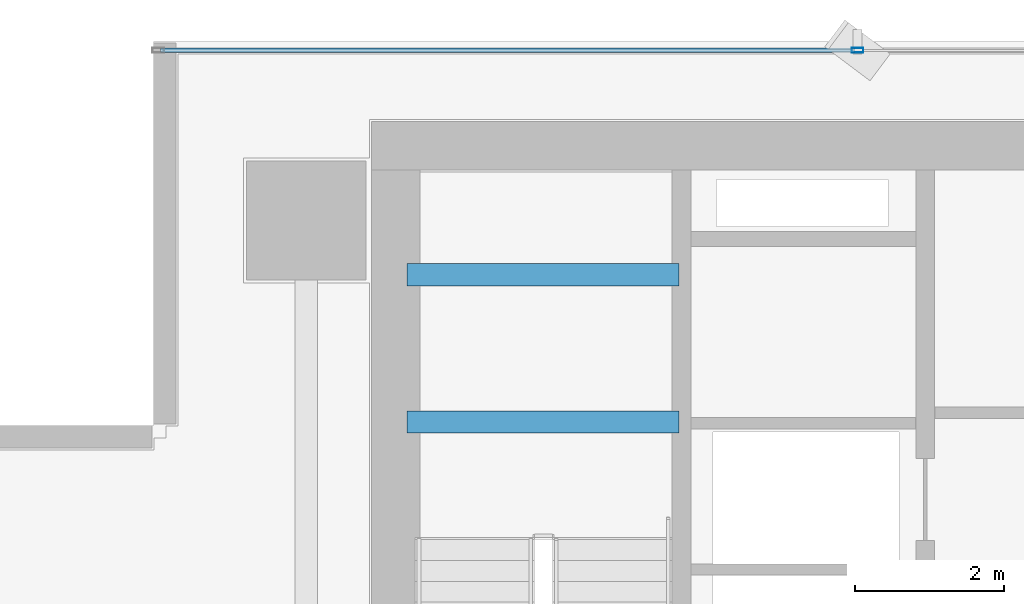
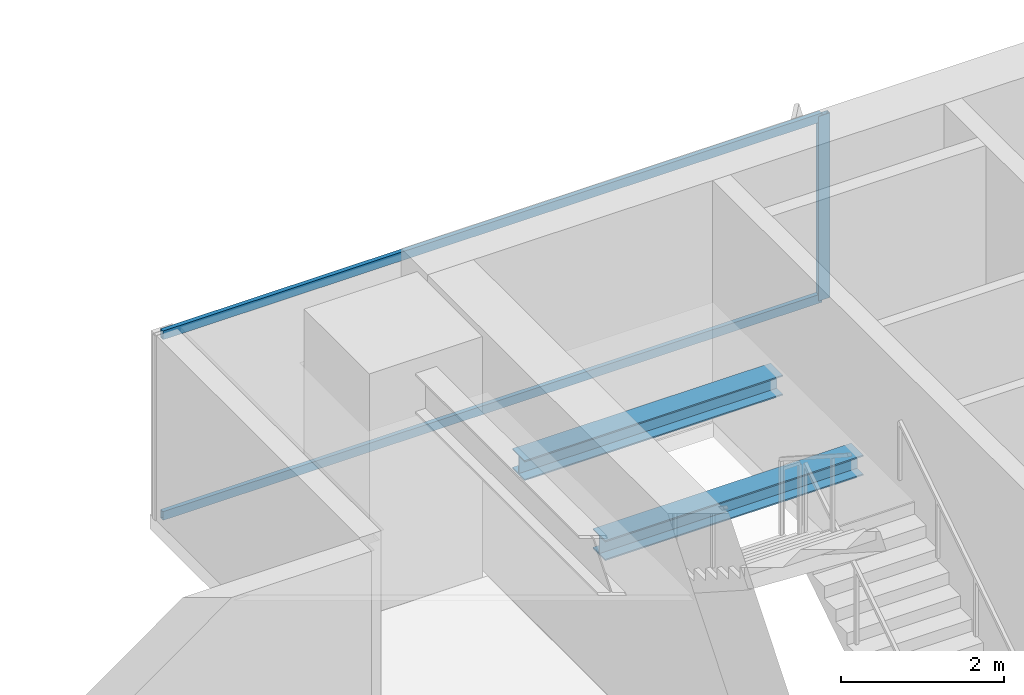
# One storey, part 15 of 28: 3 members, 2 beams, 1 element without a shape of its own.
"""IFC4 building model written with IfcOpenShell, lengths in metres."""

from ifc_helpers import new_model, si_unit, direction, frame, origin, origin_2d, place, context, subcontext, project, spatial, hollow_rectangle, i_section, extrude, source, transform, mapped, material, layer, layer_set, material_profile, profile_set, type_object, element, aggregate, save


model = new_model("IFC4")

# Units and contexts
model_context = context("Model", 3, precision=1e-05, world=origin(), true_north=direction((0.0, 1.0)))
body_context = subcontext(model_context, "Body", "Model", "MODEL_VIEW")
ifc_project = project(units=[si_unit("LENGTHUNIT", "METRE"), si_unit("AREAUNIT", "SQUARE_METRE"), si_unit("VOLUMEUNIT", "CUBIC_METRE"), si_unit("PLANEANGLEUNIT", "RADIAN"), si_unit("MASSUNIT", "GRAM", prefix="KILO")], contexts=[model_context])

# Site, building, storey
site_placement = place(None, origin())
site = spatial("IfcSite", under=ifc_project, at=site_placement, CompositionType="ELEMENT")
building_placement = place(site_placement, origin())
building = spatial("IfcBuilding", under=site, at=building_placement, Name="Sumidabori Civic Tower", CompositionType="ELEMENT")
storey_placement = place(building_placement, frame((0.0, 0.0, 174.800048828125)))
storey = spatial("IfcBuildingStorey", under=building, at=storey_placement, Name="L45", CompositionType="ELEMENT", Elevation=174.800048828125)

# Beams
ifc_material_1 = material(Name="Steel SN490", Category="steel")
ifc_material_profile_1 = material_profile(ifc_material_1, i_section(OverallWidth=0.300048828125, OverallDepth=0.300048828125, WebThickness=0.010986328125, FlangeThickness=0.01904296875, at=origin_2d()), Name="HE 300 B")
ifc_profile_set_1 = profile_set([ifc_material_profile_1], Name="Steel SN490")
beam_type = type_object("IfcBeamType", Name="BM-LDG-300", PredefinedType="BEAM", material=ifc_profile_set_1)
shared_shape_1 = source(origin(), body_context, "Body", "SweptSolid", [
    extrude(i_section(OverallWidth=0.300048828125, OverallDepth=0.300048828125, WebThickness=0.010986328125, FlangeThickness=0.01904296875, at=origin_2d()), origin(), (0.0, 0.0, 1.0), 3.64990234375),
])
for number, where, z_axis, x_axis, name in (
    (1, (-15.449951171875, 20.09765625, 1.449951171875), (1.0, 0.0, 0.0), (0.0, 1.0, 0.0), "Stair ST-1 Landing Support Beam L45-1A"),
    (2, (-15.449951171875, 22.069580078125, 1.449951171875), (1.0, 0.0, 0.0), (0.0, 1.0, 0.0), "Stair ST-1 Landing Trimmer Beam L45-1B"),
):
    element("IfcBeam", number, at=place(storey_placement, frame(where, z_axis=z_axis, x_axis=x_axis)), inside=storey, type_object=beam_type, Name=name, PredefinedType="BEAM", context=body_context, shape_type="MappedRepresentation", body=[
        mapped(shared_shape_1, transform((0.0, 0.0, 0.0), x_axis=(1.0, 0.0, 0.0), y_axis=(0.0, 1.0, 0.0), z_axis=(0.0, 0.0, 1.0), scale=1.0)),
    ])

# Curtain wall, members
ifc_material_2 = material(Name="Anodised Bronze Aluminium AW-6063-T6", Category="aluminium")
ifc_layer = layer(ifc_material_2, 0.179931640625, Name="Anodised Bronze Aluminium AW-6063-T6")
ifc_layer_set = layer_set([ifc_layer], Name="Anodised Bronze Aluminium AW-6063-T6")
curtain_wall_type = type_object("IfcCurtainWallType", Name="CW-SYS-3", PredefinedType="NOTDEFINED", material=ifc_layer_set)
curtain_wall_placement = place(storey_placement, origin())
curtain_wall = element("IfcCurtainWall", 3, at=curtain_wall_placement, inside=storey, type_object=curtain_wall_type, Name="Curtain Wall CW:L45:R07", PredefinedType="NOTDEFINED")
ifc_material_profile_2 = material_profile(ifc_material_2, hollow_rectangle(XDim=0.06494140625, YDim=0.159912109375, WallThickness=0.0048828125, at=origin_2d()), Name="ALU MULLION 160x65")
ifc_profile_set_2 = profile_set([ifc_material_profile_2], Name="Anodised Bronze Aluminium AW-6063-T6")
member_type_1 = type_object("IfcMemberType", Name="CW-MUL-160", PredefinedType="MULLION", material=ifc_profile_set_2)
shared_shape_2 = source(origin(), body_context, "Body", "SweptSolid", [
    extrude(hollow_rectangle(XDim=0.06494140625, YDim=0.159912109375, WallThickness=0.0048828125, at=origin_2d()), origin(), (0.0, 0.0, 1.0), 2.760009765625),
])
member_1_placement = place(storey_placement, frame((-9.409912109375, 25.080078125, 0.0), z_axis=(0.0, 0.0, 1.0), x_axis=(0.0, -1.0, 0.0)))
member_1 = element("IfcMember", 4, at=member_1_placement, type_object=member_type_1, Name="CW-3 mullion 4", PredefinedType="MULLION", context=body_context, shape_type="MappedRepresentation", body=[
    mapped(shared_shape_2, transform((0.0, 0.0, 0.0), x_axis=(1.0, 0.0, 0.0), y_axis=(0.0, 1.0, 0.0), z_axis=(0.0, 0.0, 1.0), scale=1.0)),
])
ifc_material_profile_3 = material_profile(ifc_material_2, hollow_rectangle(XDim=0.06005859375, YDim=0.1298828125, WallThickness=0.0048828125, at=origin_2d()), Name="ALU TRANSOM 130x60")
ifc_profile_set_3 = profile_set([ifc_material_profile_3], Name="Anodised Bronze Aluminium AW-6063-T6")
member_type_2 = type_object("IfcMemberType", Name="CW-TRN-130", PredefinedType="USERDEFINED", material=ifc_profile_set_3)
shared_shape_3 = source(origin(), body_context, "Body", "SweptSolid", [
    extrude(hollow_rectangle(XDim=0.06005859375, YDim=0.1298828125, WallThickness=0.0048828125, at=origin_2d()), origin(), (0.0, 0.0, 1.0), 9.3125),
])
member_2_placement = place(storey_placement, frame((-9.4423828125, 25.080078125, 0.030029296875), z_axis=(-1.0, 0.0, 0.0), x_axis=(0.0, -1.0, 0.0)))
member_2 = element("IfcMember", 5, at=member_2_placement, type_object=member_type_2, Name="CW-3 transom 4.1", ObjectType="TRANSOM", PredefinedType="USERDEFINED", context=body_context, shape_type="MappedRepresentation", body=[
    mapped(shared_shape_3, transform((0.0, 0.0, 0.0), x_axis=(1.0, 0.0, 0.0), y_axis=(0.0, 1.0, 0.0), z_axis=(0.0, 0.0, 1.0), scale=1.0)),
])
member_3_placement = place(storey_placement, frame((-9.4423828125, 25.080078125, 2.72998046875), z_axis=(-1.0, 0.0, 0.0), x_axis=(0.0, -1.0, 0.0)))
member_3 = element("IfcMember", 6, at=member_3_placement, type_object=member_type_2, Name="CW-3 transom 4.2", ObjectType="TRANSOM", PredefinedType="USERDEFINED", context=body_context, shape_type="MappedRepresentation", body=[
    mapped(shared_shape_3, transform((0.0, 0.0, 0.0), x_axis=(1.0, 0.0, 0.0), y_axis=(0.0, 1.0, 0.0), z_axis=(0.0, 0.0, 1.0), scale=1.0)),
])
aggregate(curtain_wall, [member_1, member_2, member_3])

save(model, "model.ifc")
